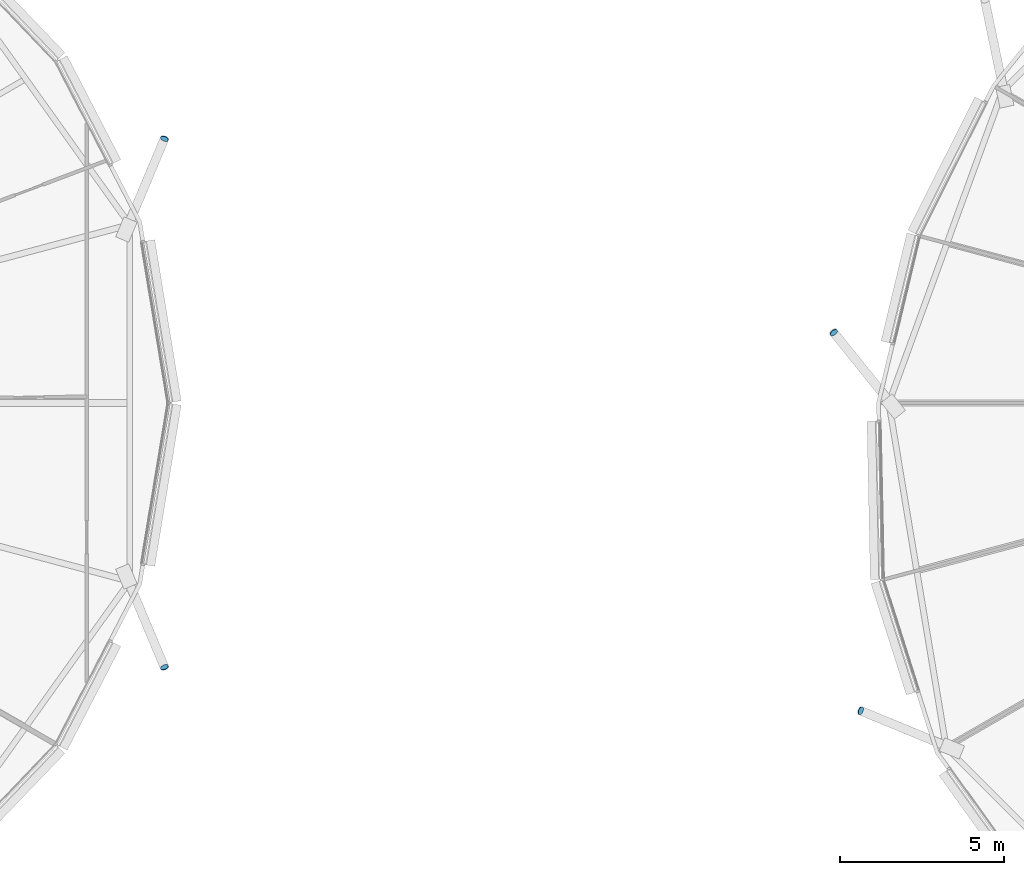
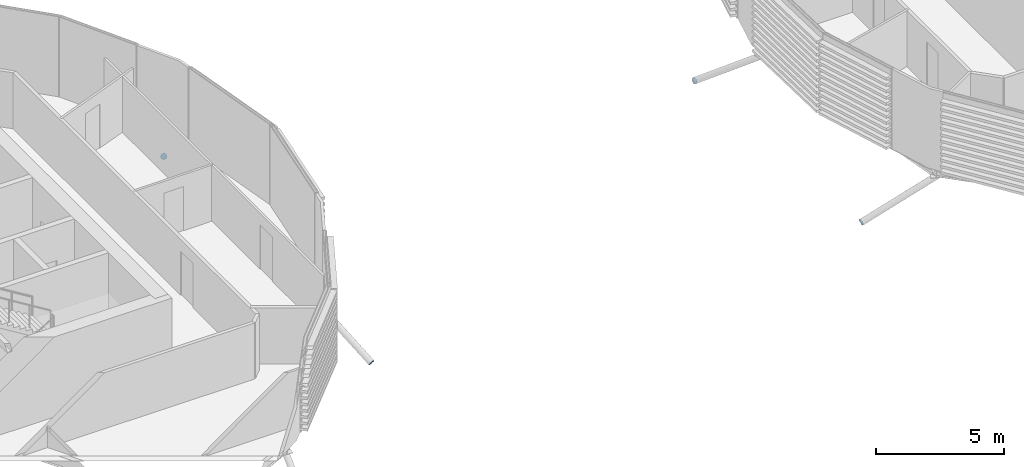
# One storey, part 26 of 36: 4 discrete accessories.
"""IFC4 building model written with IfcOpenShell, lengths in metres."""

import ifcopenshell
import ifcopenshell.guid

model = None  # the IFC model being written
_history = None  # IfcOwnerHistory: only IFC2X3 demands one
_inside = {}  # id of a spatial element -> (the spatial element, [elements in it])
_under = {}  # id of a project, library or spatial element -> (it, [spatial elements below it])
_declared = {}  # id of a project -> (the project, [libraries it declares])
_typed = {}  # id of a type object -> (the type object, [elements of that type])
_made_of = {}  # id of a material, layer set ... -> (it, [elements and type objects made of it])


def new_model(schema):
    """Start an empty IFC model of exactly this schema.

    Asked for "IFC4X3", IfcOpenShell would pick the latest addendum, in which some entities
    have other attributes; the version numbers below select the first issue.
    IFC2X3 requires an IfcOwnerHistory on every rooted entity: one is made here for all.
    """
    global model, _history
    if schema == "IFC4X3":
        model = ifcopenshell.file(schema_version=(4, 3, 0, 0))
    else:
        model = ifcopenshell.file(schema=schema)
    _inside.clear()
    _under.clear()
    _declared.clear()
    _typed.clear()
    _made_of.clear()
    _history = None
    if model.schema == "IFC2X3":
        org = make("IfcOrganization", Name="unknown")
        user = make(
            "IfcPersonAndOrganization",
            ThePerson=make("IfcPerson", FamilyName="unknown"),
            TheOrganization=org,
        )
        app = make(
            "IfcApplication",
            ApplicationDeveloper=org,
            Version="unknown",
            ApplicationFullName="unknown",
            ApplicationIdentifier="unknown",
        )
        _history = make(
            "IfcOwnerHistory",
            OwningUser=user,
            OwningApplication=app,
            ChangeAction="ADDED",
            CreationDate=0,
        )
    return model


def make(cls, **values):
    """One entity of the class cls with the attributes given. An attribute that is None is left unset."""
    return model.create_entity(
        cls, **{name: value for name, value in values.items() if value is not None}
    )


def rooted(cls, **values):
    """An entity with a GlobalId (a new one), such as an element, a storey or a relation."""
    return make(cls, GlobalId=ifcopenshell.guid.new(), OwnerHistory=_history, **values)


def si_unit(unit_type, name, prefix=None):
    """IfcSIUnit, for example si_unit("LENGTHUNIT", "METRE", prefix="MILLI")."""
    return make("IfcSIUnit", UnitType=unit_type, Prefix=prefix, Name=name)


def assignment(units):
    """IfcUnitAssignment: the units of a project."""
    return None if units is None else make("IfcUnitAssignment", Units=units)


def point(xyz):
    """IfcCartesianPoint."""
    return None if xyz is None else make("IfcCartesianPoint", Coordinates=xyz)


def direction(xyz):
    """IfcDirection."""
    return None if xyz is None else make("IfcDirection", DirectionRatios=xyz)


def frame(location, z_axis=None, x_axis=None):
    """IfcAxis2Placement3D, a coordinate frame: its origin and axes. An axis left out is left unset."""
    return make(
        "IfcAxis2Placement3D",
        Location=point(location),
        Axis=direction(z_axis),
        RefDirection=direction(x_axis),
    )


def frame_2d(location, x_axis=None):
    """IfcAxis2Placement2D, a coordinate frame in the plane: its origin and x axis."""
    return make(
        "IfcAxis2Placement2D", Location=point(location), RefDirection=direction(x_axis)
    )


def origin():
    """The frame at (0, 0, 0) with its axes left unset."""
    return frame((0.0, 0.0, 0.0))


def origin_2d():
    """The frame at (0, 0) in the plane with its x axis left unset."""
    return frame_2d((0.0, 0.0))


def place(relative_to, where):
    """IfcLocalPlacement: puts the frame where relative to a parent placement (None: the world)."""
    return make(
        "IfcLocalPlacement", PlacementRelTo=relative_to, RelativePlacement=where
    )


def context(
    kind, dimensions, precision=None, world=None, true_north=None, identifier=None
):
    """IfcGeometricRepresentationContext, for example the 3D "Model" context."""
    return make(
        "IfcGeometricRepresentationContext",
        ContextIdentifier=identifier,
        ContextType=kind,
        CoordinateSpaceDimension=dimensions,
        Precision=precision,
        WorldCoordinateSystem=world,
        TrueNorth=true_north,
    )


def subcontext(parent, identifier, kind, view, scale=None):
    """IfcGeometricRepresentationSubContext, for example "Body" below "Model"."""
    return make(
        "IfcGeometricRepresentationSubContext",
        ContextIdentifier=identifier,
        ContextType=kind,
        ParentContext=parent,
        TargetScale=scale,
        TargetView=view,
    )


def project(units=None, contexts=None):
    """IfcProject with its units and contexts."""
    return rooted(
        "IfcProject",
        Name="project",
        RepresentationContexts=contexts,
        UnitsInContext=assignment(units),
    )


def spatial(cls, under=None, at=None, **own):
    """A site, building, storey or space (cls), placed at a placement, below another one or the project."""
    s = rooted(cls, ObjectPlacement=at, **own)
    if under is not None:
        _under.setdefault(under.id(), (under, []))[1].append(s)
    return s


def profile(cls, at=None, kind="AREA", **sizes):
    """A parametric profile (cls). Its sizes go by their IFC names, for example OverallWidth=200.0."""
    return make(cls, ProfileType=kind, Position=at, **sizes)


def circle(**sizes):
    """IfcCircleProfileDef."""
    return profile("IfcCircleProfileDef", **sizes)


def extrude(swept, where, along, depth):
    """IfcExtrudedAreaSolid: the profile swept, set in the frame where, extruded along a direction by depth."""
    return make(
        "IfcExtrudedAreaSolid",
        SweptArea=swept,
        Position=where,
        ExtrudedDirection=direction(along),
        Depth=depth,
    )


def shape(context_of_items, identifier, shape_type, items):
    """IfcShapeRepresentation: the items that make up one representation, for example the "Body"."""
    return make(
        "IfcShapeRepresentation",
        ContextOfItems=context_of_items,
        RepresentationIdentifier=identifier,
        RepresentationType=shape_type,
        Items=items,
    )


def material(Name=None, Category=None):
    """IfcMaterial."""
    return make("IfcMaterial", Name=Name, Category=Category)


def material_profile(
    of_material, cross_section, Name=None, Category=None, Priority=None
):
    """IfcMaterialProfile: a cross section and its material."""
    return make(
        "IfcMaterialProfile",
        Name=Name,
        Material=of_material,
        Profile=cross_section,
        Priority=Priority,
        Category=Category,
    )


def profile_set(profiles, Name=None, composite=None):
    """IfcMaterialProfileSet."""
    return make(
        "IfcMaterialProfileSet",
        Name=Name,
        MaterialProfiles=profiles,
        CompositeProfile=composite,
    )


def made_of(thing, what):
    """Note that an element or type object is made of a material, layer set ...; save() writes the relation."""
    if what is not None:
        _made_of.setdefault(what.id(), (what, []))[1].append(thing)
    return thing


def type_object(cls, material=None, **own):
    """A type object (cls), such as IfcWallType, which elements share."""
    return made_of(rooted(cls, **own), material)


def element(
    cls,
    number,
    at=None,
    inside=None,
    cuts=None,
    type_object=None,
    material=None,
    context=None,
    identifier="Body",
    shape_type=None,
    held_by="IfcProductDefinitionShape",
    body=None,
    shapes=None,
    **own,
):
    """One element of the class cls, such as IfcWall. Its Tag is "e" and its number.

    at: its placement. inside: the storey or other place that contains it. cuts: it is an
    opening in that element (IfcRelVoidsElement). A single representation is given by context,
    identifier, shape_type and body (its items); several are given by shapes. held_by: the class
    of the entity that holds the representations. save() writes the other relations.
    """
    e = rooted(cls, Tag="e%d" % number, ObjectPlacement=at, **own)
    if body is not None:
        shapes = [shape(context, identifier, shape_type, body)]
    if shapes is not None:
        e.Representation = make(held_by, Representations=shapes)
    if inside is not None:
        _inside.setdefault(inside.id(), (inside, []))[1].append(e)
    if cuts is not None:
        rooted(
            "IfcRelVoidsElement", RelatingBuildingElement=cuts, RelatedOpeningElement=e
        )
    if type_object is not None:
        _typed.setdefault(type_object.id(), (type_object, []))[1].append(e)
    return made_of(e, material)


def aggregate(whole, parts):
    """IfcRelAggregates: a whole, such as a stair, and the parts it consists of."""
    return rooted("IfcRelAggregates", RelatingObject=whole, RelatedObjects=parts)


def save(model, path):
    """Write the relations noted so far, then the file.

    IfcRelAggregates (storeys below a building ...), IfcRelContainedInSpatialStructure (elements
    in a storey), IfcRelDefinesByType, IfcRelAssociatesMaterial and IfcRelDeclares: one each for
    every whole, place, type object, material and project.
    """
    for whole, parts in _under.values():
        aggregate(whole, parts)
    for where, things in _inside.values():
        rooted(
            "IfcRelContainedInSpatialStructure",
            RelatedElements=things,
            RelatingStructure=where,
        )
    for kind, things in _typed.values():
        rooted("IfcRelDefinesByType", RelatedObjects=things, RelatingType=kind)
    for what, things in _made_of.values():
        rooted("IfcRelAssociatesMaterial", RelatedObjects=things, RelatingMaterial=what)
    for by, libraries in _declared.values():
        rooted("IfcRelDeclares", RelatingContext=by, RelatedDefinitions=libraries)
    model.write(path)


model = new_model("IFC4")

# Units and contexts
model_context = context("Model", 3, precision=1e-05, world=origin(), true_north=direction((0.0, 1.0)))
body_context = subcontext(model_context, "Body", "Model", "MODEL_VIEW")
ifc_project = project(units=[si_unit("LENGTHUNIT", "METRE"), si_unit("AREAUNIT", "SQUARE_METRE"), si_unit("VOLUMEUNIT", "CUBIC_METRE"), si_unit("PLANEANGLEUNIT", "RADIAN"), si_unit("MASSUNIT", "GRAM", prefix="KILO")], contexts=[model_context])

# Site, building, storey
site_placement = place(None, origin())
site = spatial("IfcSite", under=ifc_project, at=site_placement, CompositionType="ELEMENT")
building_placement = place(site_placement, origin())
building = spatial("IfcBuilding", under=site, at=building_placement, Name="Rimbun Link Towers", CompositionType="ELEMENT")
storey_placement = place(building_placement, frame((0.0, 0.0, 200.699951171875)))
storey = spatial("IfcBuildingStorey", under=building, at=storey_placement, Name="L49", CompositionType="ELEMENT", Elevation=200.699951171875)

# Discrete accessories
ifc_material = material(Name="Steel S355J2H", Category="steel")
ifc_material_profile = material_profile(ifc_material, circle(Radius=0.1240234375, at=origin_2d()), Name="PL D248")
ifc_profile_set = profile_set([ifc_material_profile], Name="Steel S355J2H")
discrete_accessory_type = type_object("IfcDiscreteAccessoryType", Name="Link foot sealing plate D248X20", PredefinedType="BRACKET", material=ifc_profile_set)
for number, where, z_axis, x_axis, name in (
    (1, (-10.36328125, 8.070068359375, -2.574951171875), (0.329292779969, 0.768349819928, -0.548821299948), (-0.919145030018, 0.393919298579, 0.0), "Link foot sealing plate T1 L49 01"),
    (2, (-10.36328125, -8.070068359375, -2.574951171875), (0.329292779969, -0.768349819928, -0.548821299948), (0.919145030018, 0.393919298579, 0.0), "Link foot sealing plate T1 L49 23"),
    (3, (10.092529296875, 2.147705078125, -2.539794921875), (-0.522451354457, 0.643951669447, -0.558901448954), (-0.776561986372, -0.630040856868, 0.0), "Link foot sealing plate T2 L49 09"),
    (4, (10.916259765625, -9.40478515625, -2.55029296875), (-0.771396443966, 0.318354087986, -0.550997459976), (-0.38148765511, -0.924373933535, 0.0), "Link foot sealing plate T2 L49 11"),
):
    element("IfcDiscreteAccessory", number, at=place(storey_placement, frame(where, z_axis=z_axis, x_axis=x_axis)), inside=storey, type_object=discrete_accessory_type, Name=name, PredefinedType="BRACKET", context=body_context, shape_type="SweptSolid", body=[
        extrude(circle(Radius=0.1240234375, at=origin_2d()), origin(), (0.0, 0.0, 1.0), 0.02001953125),
    ])

save(model, "model.ifc")
